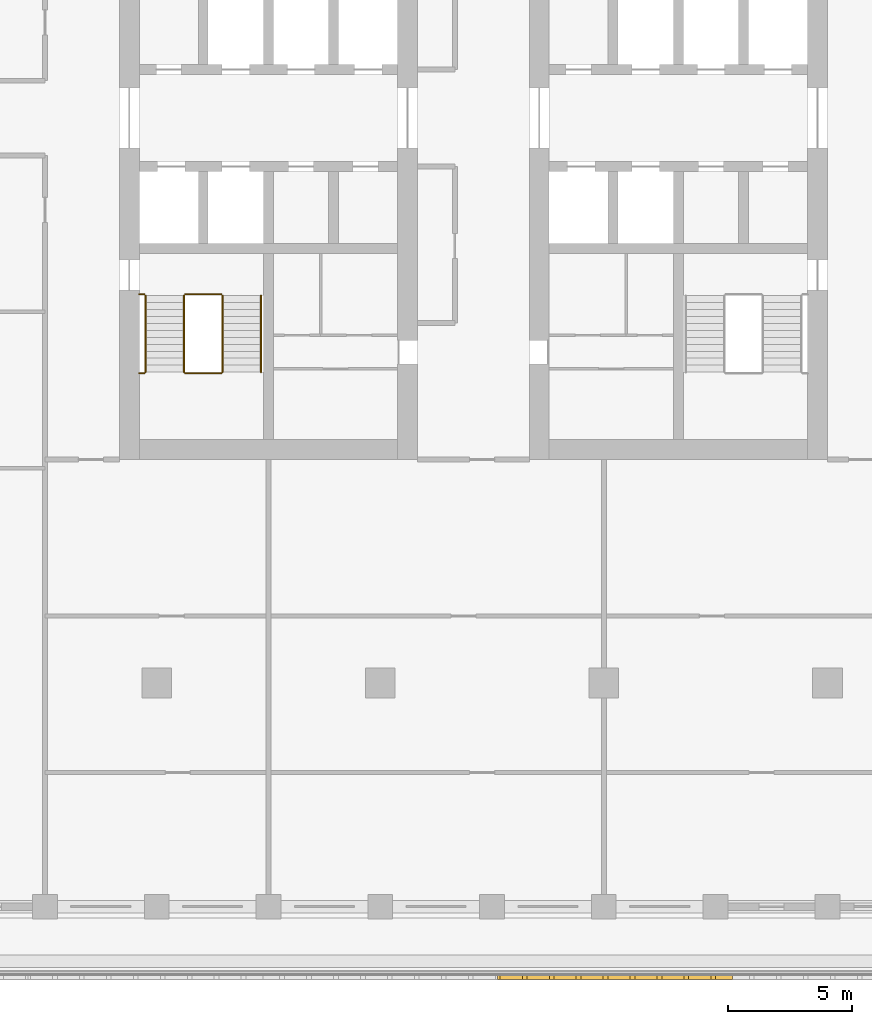
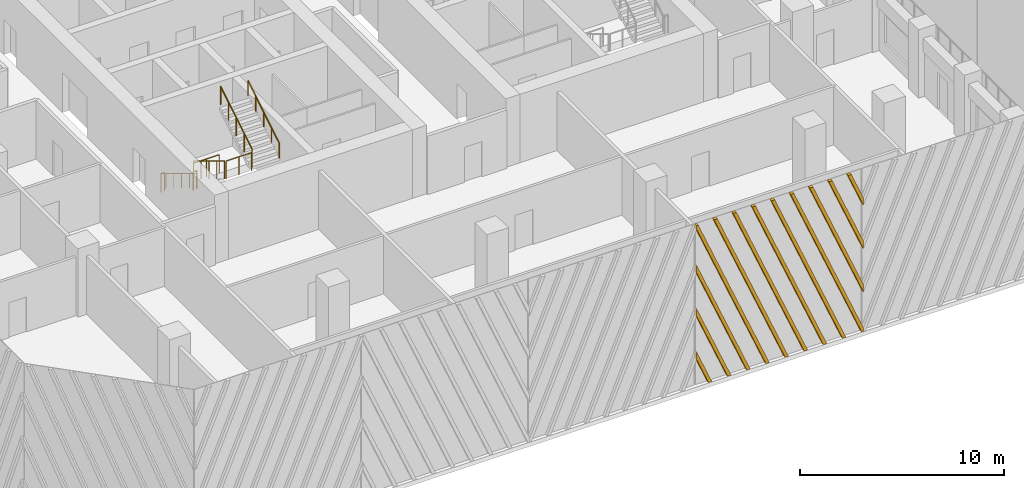
# One storey, part 12 of 18: 8 railings, 1 shading device.
"""IFC4 building model written with IfcOpenShell, lengths in metres."""

import ifcopenshell
import ifcopenshell.guid

model = None  # the IFC model being written
_history = None  # IfcOwnerHistory: only IFC2X3 demands one
_inside = {}  # id of a spatial element -> (the spatial element, [elements in it])
_under = {}  # id of a project, library or spatial element -> (it, [spatial elements below it])
_declared = {}  # id of a project -> (the project, [libraries it declares])
_typed = {}  # id of a type object -> (the type object, [elements of that type])
_made_of = {}  # id of a material, layer set ... -> (it, [elements and type objects made of it])


def new_model(schema):
    """Start an empty IFC model of exactly this schema.

    Asked for "IFC4X3", IfcOpenShell would pick the latest addendum, in which some entities
    have other attributes; the version numbers below select the first issue.
    IFC2X3 requires an IfcOwnerHistory on every rooted entity: one is made here for all.
    """
    global model, _history
    if schema == "IFC4X3":
        model = ifcopenshell.file(schema_version=(4, 3, 0, 0))
    else:
        model = ifcopenshell.file(schema=schema)
    _inside.clear()
    _under.clear()
    _declared.clear()
    _typed.clear()
    _made_of.clear()
    _history = None
    if model.schema == "IFC2X3":
        org = make("IfcOrganization", Name="unknown")
        user = make(
            "IfcPersonAndOrganization",
            ThePerson=make("IfcPerson", FamilyName="unknown"),
            TheOrganization=org,
        )
        app = make(
            "IfcApplication",
            ApplicationDeveloper=org,
            Version="unknown",
            ApplicationFullName="unknown",
            ApplicationIdentifier="unknown",
        )
        _history = make(
            "IfcOwnerHistory",
            OwningUser=user,
            OwningApplication=app,
            ChangeAction="ADDED",
            CreationDate=0,
        )
    return model


def make(cls, **values):
    """One entity of the class cls with the attributes given. An attribute that is None is left unset."""
    return model.create_entity(
        cls, **{name: value for name, value in values.items() if value is not None}
    )


def rooted(cls, **values):
    """An entity with a GlobalId (a new one), such as an element, a storey or a relation."""
    return make(cls, GlobalId=ifcopenshell.guid.new(), OwnerHistory=_history, **values)


def si_unit(unit_type, name, prefix=None):
    """IfcSIUnit, for example si_unit("LENGTHUNIT", "METRE", prefix="MILLI")."""
    return make("IfcSIUnit", UnitType=unit_type, Prefix=prefix, Name=name)


def assignment(units):
    """IfcUnitAssignment: the units of a project."""
    return None if units is None else make("IfcUnitAssignment", Units=units)


def point(xyz):
    """IfcCartesianPoint."""
    return None if xyz is None else make("IfcCartesianPoint", Coordinates=xyz)


def direction(xyz):
    """IfcDirection."""
    return None if xyz is None else make("IfcDirection", DirectionRatios=xyz)


def frame(location, z_axis=None, x_axis=None):
    """IfcAxis2Placement3D, a coordinate frame: its origin and axes. An axis left out is left unset."""
    return make(
        "IfcAxis2Placement3D",
        Location=point(location),
        Axis=direction(z_axis),
        RefDirection=direction(x_axis),
    )


def frame_2d(location, x_axis=None):
    """IfcAxis2Placement2D, a coordinate frame in the plane: its origin and x axis."""
    return make(
        "IfcAxis2Placement2D", Location=point(location), RefDirection=direction(x_axis)
    )


def origin():
    """The frame at (0, 0, 0) with its axes left unset."""
    return frame((0.0, 0.0, 0.0))


def origin_2d():
    """The frame at (0, 0) in the plane with its x axis left unset."""
    return frame_2d((0.0, 0.0))


def place(relative_to, where):
    """IfcLocalPlacement: puts the frame where relative to a parent placement (None: the world)."""
    return make(
        "IfcLocalPlacement", PlacementRelTo=relative_to, RelativePlacement=where
    )


def context(
    kind, dimensions, precision=None, world=None, true_north=None, identifier=None
):
    """IfcGeometricRepresentationContext, for example the 3D "Model" context."""
    return make(
        "IfcGeometricRepresentationContext",
        ContextIdentifier=identifier,
        ContextType=kind,
        CoordinateSpaceDimension=dimensions,
        Precision=precision,
        WorldCoordinateSystem=world,
        TrueNorth=true_north,
    )


def subcontext(parent, identifier, kind, view, scale=None):
    """IfcGeometricRepresentationSubContext, for example "Body" below "Model"."""
    return make(
        "IfcGeometricRepresentationSubContext",
        ContextIdentifier=identifier,
        ContextType=kind,
        ParentContext=parent,
        TargetScale=scale,
        TargetView=view,
    )


def project(units=None, contexts=None):
    """IfcProject with its units and contexts."""
    return rooted(
        "IfcProject",
        Name="project",
        RepresentationContexts=contexts,
        UnitsInContext=assignment(units),
    )


def spatial(cls, under=None, at=None, **own):
    """A site, building, storey or space (cls), placed at a placement, below another one or the project."""
    s = rooted(cls, ObjectPlacement=at, **own)
    if under is not None:
        _under.setdefault(under.id(), (under, []))[1].append(s)
    return s


def polyline(points):
    """IfcPolyline through the points."""
    return make("IfcPolyline", Points=[point(p) for p in points])


def profile(cls, at=None, kind="AREA", **sizes):
    """A parametric profile (cls). Its sizes go by their IFC names, for example OverallWidth=200.0."""
    return make(cls, ProfileType=kind, Position=at, **sizes)


def circle(**sizes):
    """IfcCircleProfileDef."""
    return profile("IfcCircleProfileDef", **sizes)


def outline(outer, holes=None, kind="AREA"):
    """IfcArbitraryClosedProfileDef: a profile drawn as a closed curve; with holes, ...WithVoids."""
    if holes is None:
        return make("IfcArbitraryClosedProfileDef", ProfileType=kind, OuterCurve=outer)
    return make(
        "IfcArbitraryProfileDefWithVoids",
        ProfileType=kind,
        OuterCurve=outer,
        InnerCurves=holes,
    )


def extrude(swept, where, along, depth):
    """IfcExtrudedAreaSolid: the profile swept, set in the frame where, extruded along a direction by depth."""
    return make(
        "IfcExtrudedAreaSolid",
        SweptArea=swept,
        Position=where,
        ExtrudedDirection=direction(along),
        Depth=depth,
    )


def shape(context_of_items, identifier, shape_type, items):
    """IfcShapeRepresentation: the items that make up one representation, for example the "Body"."""
    return make(
        "IfcShapeRepresentation",
        ContextOfItems=context_of_items,
        RepresentationIdentifier=identifier,
        RepresentationType=shape_type,
        Items=items,
    )


def source(mapping_origin, context_of_items, identifier, shape_type, items):
    """IfcRepresentationMap: a shape defined once, which mapped items show again and again."""
    return make(
        "IfcRepresentationMap",
        MappingOrigin=mapping_origin,
        MappedRepresentation=shape(context_of_items, identifier, shape_type, items),
    )


def transform(
    local_origin,
    x_axis=None,
    y_axis=None,
    z_axis=None,
    scale=None,
    scale2=None,
    scale3=None,
    uniform=True,
):
    """IfcCartesianTransformationOperator3D, or its non-uniform kind. x_axis, y_axis, z_axis: its Axis1, 2, 3."""
    if uniform:
        return make(
            "IfcCartesianTransformationOperator3D",
            Axis1=direction(x_axis),
            Axis2=direction(y_axis),
            LocalOrigin=point(local_origin),
            Scale=scale,
            Axis3=direction(z_axis),
        )
    return make(
        "IfcCartesianTransformationOperator3DnonUniform",
        Axis1=direction(x_axis),
        Axis2=direction(y_axis),
        LocalOrigin=point(local_origin),
        Scale=scale,
        Axis3=direction(z_axis),
        Scale2=scale2,
        Scale3=scale3,
    )


def mapped(mapping_source, mapping_target):
    """IfcMappedItem: shows the shape of a source again, moved by a transform."""
    return make(
        "IfcMappedItem", MappingSource=mapping_source, MappingTarget=mapping_target
    )


def material(Name=None, Category=None):
    """IfcMaterial."""
    return make("IfcMaterial", Name=Name, Category=Category)


def made_of(thing, what):
    """Note that an element or type object is made of a material, layer set ...; save() writes the relation."""
    if what is not None:
        _made_of.setdefault(what.id(), (what, []))[1].append(thing)
    return thing


def type_object(cls, material=None, **own):
    """A type object (cls), such as IfcWallType, which elements share."""
    return made_of(rooted(cls, **own), material)


def element(
    cls,
    number,
    at=None,
    inside=None,
    cuts=None,
    type_object=None,
    material=None,
    context=None,
    identifier="Body",
    shape_type=None,
    held_by="IfcProductDefinitionShape",
    body=None,
    shapes=None,
    **own,
):
    """One element of the class cls, such as IfcWall. Its Tag is "e" and its number.

    at: its placement. inside: the storey or other place that contains it. cuts: it is an
    opening in that element (IfcRelVoidsElement). A single representation is given by context,
    identifier, shape_type and body (its items); several are given by shapes. held_by: the class
    of the entity that holds the representations. save() writes the other relations.
    """
    e = rooted(cls, Tag="e%d" % number, ObjectPlacement=at, **own)
    if body is not None:
        shapes = [shape(context, identifier, shape_type, body)]
    if shapes is not None:
        e.Representation = make(held_by, Representations=shapes)
    if inside is not None:
        _inside.setdefault(inside.id(), (inside, []))[1].append(e)
    if cuts is not None:
        rooted(
            "IfcRelVoidsElement", RelatingBuildingElement=cuts, RelatedOpeningElement=e
        )
    if type_object is not None:
        _typed.setdefault(type_object.id(), (type_object, []))[1].append(e)
    return made_of(e, material)


def aggregate(whole, parts):
    """IfcRelAggregates: a whole, such as a stair, and the parts it consists of."""
    return rooted("IfcRelAggregates", RelatingObject=whole, RelatedObjects=parts)


def save(model, path):
    """Write the relations noted so far, then the file.

    IfcRelAggregates (storeys below a building ...), IfcRelContainedInSpatialStructure (elements
    in a storey), IfcRelDefinesByType, IfcRelAssociatesMaterial and IfcRelDeclares: one each for
    every whole, place, type object, material and project.
    """
    for whole, parts in _under.values():
        aggregate(whole, parts)
    for where, things in _inside.values():
        rooted(
            "IfcRelContainedInSpatialStructure",
            RelatedElements=things,
            RelatingStructure=where,
        )
    for kind, things in _typed.values():
        rooted("IfcRelDefinesByType", RelatedObjects=things, RelatingType=kind)
    for what, things in _made_of.values():
        rooted("IfcRelAssociatesMaterial", RelatedObjects=things, RelatingMaterial=what)
    for by, libraries in _declared.values():
        rooted("IfcRelDeclares", RelatingContext=by, RelatedDefinitions=libraries)
    model.write(path)


model = new_model("IFC4")

# Units and contexts
model_context = context("Model", 3, precision=1e-05, world=origin(), true_north=direction((0.0, 1.0)))
body_context = subcontext(model_context, "Body", "Model", "MODEL_VIEW")
ifc_project = project(units=[si_unit("LENGTHUNIT", "METRE"), si_unit("AREAUNIT", "SQUARE_METRE"), si_unit("VOLUMEUNIT", "CUBIC_METRE"), si_unit("PLANEANGLEUNIT", "RADIAN"), si_unit("MASSUNIT", "GRAM", prefix="KILO")], contexts=[model_context])

# Site, building, storey
site_placement = place(None, origin())
site = spatial("IfcSite", under=ifc_project, at=site_placement, CompositionType="ELEMENT")
building_placement = place(site_placement, origin())
building = spatial("IfcBuilding", under=site, at=building_placement, Name="Corbel Stack Research Tower", CompositionType="ELEMENT")
storey_placement = place(building_placement, frame((0.0, 0.0, 181.39990234375)))
storey = spatial("IfcBuildingStorey", under=building, at=storey_placement, Name="L41", CompositionType="ELEMENT", Elevation=181.39990234375)

# Railings
ifc_material_1 = material(Name="Steel S355", Category="steel")
railing_type_1 = type_object("IfcRailingType", Name="Stair guard 1100", PredefinedType="GUARDRAIL", material=ifc_material_1)
railing_1_placement = place(storey_placement, frame((-7.89990234375, -2.39990234375, 0.1708984375)))
element("IfcRailing", 1, at=railing_1_placement, inside=storey, type_object=railing_type_1, Name="L41 ST-W1 stair guard 1", PredefinedType="GUARDRAIL", context=body_context, shape_type="SweptSolid", body=[
    extrude(circle(Radius=0.02392578125, at=origin_2d()), frame((0.0, 0.0, 1.076171875), z_axis=(0.0, -0.853666305674, 0.52082035152), x_axis=(1.0, 0.0, 0.0)), (0.0, 0.0, 1.0), 3.608154296875),
    extrude(circle(Radius=0.02099609375, at=origin_2d()), origin(), (0.0, 0.0, 1.0), 1.052001953125),
    extrude(circle(Radius=0.02099609375, at=origin_2d()), frame((0.0, -0.77001953125, 0.4697265625)), (0.0, 0.0, 1.0), 1.052001953125),
    extrude(circle(Radius=0.02099609375, at=origin_2d()), frame((0.0, -1.5400390625, 0.939453125)), (0.0, 0.0, 1.0), 1.052001953125),
    extrude(circle(Radius=0.02099609375, at=origin_2d()), frame((0.0, -2.31005859375, 1.409423828125)), (0.0, 0.0, 1.0), 1.052001953125),
    extrude(circle(Radius=0.02099609375, at=origin_2d()), frame((0.0, -3.080078125, 1.879150390625)), (0.0, 0.0, 1.0), 1.052001953125),
])
railing_2_placement = place(storey_placement, frame((-7.85009765625, -5.530029296875, 2.050048828125)))
element("IfcRailing", 2, at=railing_2_placement, inside=storey, type_object=railing_type_1, Name="L41 ST-W1 stair guard 2", PredefinedType="GUARDRAIL", context=body_context, shape_type="SweptSolid", body=[
    extrude(circle(Radius=0.02392578125, at=origin_2d()), frame((0.0, 0.0, 1.076171875), z_axis=(1.0, 0.0, 0.0), x_axis=(0.0, 1.0, 0.0)), (0.0, 0.0, 1.0), 1.4501953125),
    extrude(circle(Radius=0.02099609375, at=origin_2d()), origin(), (0.0, 0.0, 1.0), 1.052001953125),
    extrude(circle(Radius=0.02099609375, at=origin_2d()), frame((0.72509765625, 0.0, 0.0)), (0.0, 0.0, 1.0), 1.052001953125),
    extrude(circle(Radius=0.02099609375, at=origin_2d()), frame((1.4501953125, 0.0, 0.0)), (0.0, 0.0, 1.0), 1.052001953125),
])
railing_3_placement = place(storey_placement, frame((-9.699951171875, -5.530029296875, 2.050048828125)))
element("IfcRailing", 3, at=railing_3_placement, inside=storey, type_object=railing_type_1, Name="L41 ST-W1 stair guard 3", PredefinedType="GUARDRAIL", context=body_context, shape_type="SweptSolid", body=[
    extrude(circle(Radius=0.02392578125, at=origin_2d()), frame((0.0, 0.0, 1.076171875), z_axis=(1.0, 0.0, 0.0), x_axis=(0.0, 1.0, 0.0)), (0.0, 0.0, 1.0), 0.199951171875),
    extrude(circle(Radius=0.02099609375, at=origin_2d()), origin(), (0.0, 0.0, 1.0), 1.052001953125),
    extrude(circle(Radius=0.02099609375, at=origin_2d()), frame((0.199951171875, 0.0, 0.0)), (0.0, 0.0, 1.0), 1.052001953125),
])
railing_4_placement = place(storey_placement, frame((-6.35009765625, -5.47998046875, 2.220947265625)))
element("IfcRailing", 4, at=railing_4_placement, inside=storey, type_object=railing_type_1, Name="L41 ST-W1 stair guard 4", PredefinedType="GUARDRAIL", context=body_context, shape_type="SweptSolid", body=[
    extrude(circle(Radius=0.02392578125, at=origin_2d()), frame((0.0, 0.0, 1.076171875), z_axis=(0.0, 0.853666305674, 0.52082035152), x_axis=(-1.0, 0.0, 0.0)), (0.0, 0.0, 1.0), 3.608154296875),
    extrude(circle(Radius=0.02099609375, at=origin_2d()), origin(), (0.0, 0.0, 1.0), 1.052001953125),
    extrude(circle(Radius=0.02099609375, at=origin_2d()), frame((0.0, 0.77001953125, 0.4697265625)), (0.0, 0.0, 1.0), 1.052001953125),
    extrude(circle(Radius=0.02099609375, at=origin_2d()), frame((0.0, 1.5400390625, 0.939453125)), (0.0, 0.0, 1.0), 1.052001953125),
    extrude(circle(Radius=0.02099609375, at=origin_2d()), frame((0.0, 2.31005859375, 1.409423828125)), (0.0, 0.0, 1.0), 1.052001953125),
    extrude(circle(Radius=0.02099609375, at=origin_2d()), frame((0.0, 3.080078125, 1.879150390625)), (0.0, 0.0, 1.0), 1.052001953125),
])
railing_5_placement = place(storey_placement, frame((-7.85009765625, -2.35009765625, 0.0)))
element("IfcRailing", 5, at=railing_5_placement, inside=storey, type_object=railing_type_1, Name="L41 ST-W1 stair guard 5", PredefinedType="GUARDRAIL", context=body_context, shape_type="SweptSolid", body=[
    extrude(circle(Radius=0.02392578125, at=origin_2d()), frame((0.0, 0.0, 1.076171875), z_axis=(1.0, 0.0, 0.0), x_axis=(0.0, 1.0, 0.0)), (0.0, 0.0, 1.0), 1.4501953125),
    extrude(circle(Radius=0.02099609375, at=origin_2d()), origin(), (0.0, 0.0, 1.0), 1.052001953125),
    extrude(circle(Radius=0.02099609375, at=origin_2d()), frame((0.72509765625, 0.0, 0.0)), (0.0, 0.0, 1.0), 1.052001953125),
    extrude(circle(Radius=0.02099609375, at=origin_2d()), frame((1.4501953125, 0.0, 0.0)), (0.0, 0.0, 1.0), 1.052001953125),
])
railing_6_placement = place(storey_placement, frame((-9.699951171875, -2.35009765625, 0.0)))
element("IfcRailing", 6, at=railing_6_placement, inside=storey, type_object=railing_type_1, Name="L41 ST-W1 stair guard 6", PredefinedType="GUARDRAIL", context=body_context, shape_type="SweptSolid", body=[
    extrude(circle(Radius=0.02392578125, at=origin_2d()), frame((0.0, 0.0, 1.076171875), z_axis=(1.0, 0.0, 0.0), x_axis=(0.0, 1.0, 0.0)), (0.0, 0.0, 1.0), 0.199951171875),
    extrude(circle(Radius=0.02099609375, at=origin_2d()), origin(), (0.0, 0.0, 1.0), 1.052001953125),
    extrude(circle(Radius=0.02099609375, at=origin_2d()), frame((0.199951171875, 0.0, 0.0)), (0.0, 0.0, 1.0), 1.052001953125),
])
ifc_material_2 = material(Name="Steel S355", Category="steel")
railing_type_2 = type_object("IfcRailingType", Name="Stair handrail 900", PredefinedType="HANDRAIL", material=ifc_material_2)
railing_7_placement = place(storey_placement, frame((-9.449951171875, -2.39990234375, 0.1708984375)))
element("IfcRailing", 7, at=railing_7_placement, inside=storey, type_object=railing_type_2, Name="L41 ST-W1 stair handrail 1", PredefinedType="HANDRAIL", context=body_context, shape_type="SweptSolid", body=[
    extrude(circle(Radius=0.02392578125, at=origin_2d()), frame((0.0, 0.0, 0.8759765625), z_axis=(0.0, -0.853666305674, 0.52082035152), x_axis=(1.0, 0.0, 0.0)), (0.0, 0.0, 1.0), 3.608154296875),
    extrude(circle(Radius=0.02099609375, at=origin_2d()), origin(), (0.0, 0.0, 1.0), 0.851806640625),
    extrude(circle(Radius=0.02099609375, at=origin_2d()), frame((0.0, -0.77001953125, 0.4697265625)), (0.0, 0.0, 1.0), 0.851806640625),
    extrude(circle(Radius=0.02099609375, at=origin_2d()), frame((0.0, -1.5400390625, 0.939453125)), (0.0, 0.0, 1.0), 0.851806640625),
    extrude(circle(Radius=0.02099609375, at=origin_2d()), frame((0.0, -2.31005859375, 1.409423828125)), (0.0, 0.0, 1.0), 0.851806640625),
    extrude(circle(Radius=0.02099609375, at=origin_2d()), frame((0.0, -3.080078125, 1.879150390625)), (0.0, 0.0, 1.0), 0.851806640625),
])
railing_8_placement = place(storey_placement, frame((-4.800048828125, -5.47998046875, 2.220947265625)))
element("IfcRailing", 8, at=railing_8_placement, inside=storey, type_object=railing_type_2, Name="L41 ST-W1 stair handrail 2", PredefinedType="HANDRAIL", context=body_context, shape_type="SweptSolid", body=[
    extrude(circle(Radius=0.02392578125, at=origin_2d()), frame((0.0, 0.0, 0.8759765625), z_axis=(0.0, 0.853666305674, 0.52082035152), x_axis=(-1.0, 0.0, 0.0)), (0.0, 0.0, 1.0), 3.608154296875),
    extrude(circle(Radius=0.02099609375, at=origin_2d()), origin(), (0.0, 0.0, 1.0), 0.851806640625),
    extrude(circle(Radius=0.02099609375, at=origin_2d()), frame((0.0, 0.77001953125, 0.4697265625)), (0.0, 0.0, 1.0), 0.851806640625),
    extrude(circle(Radius=0.02099609375, at=origin_2d()), frame((0.0, 1.5400390625, 0.939453125)), (0.0, 0.0, 1.0), 0.851806640625),
    extrude(circle(Radius=0.02099609375, at=origin_2d()), frame((0.0, 2.31005859375, 1.409423828125)), (0.0, 0.0, 1.0), 0.851806640625),
    extrude(circle(Radius=0.02099609375, at=origin_2d()), frame((0.0, 3.080078125, 1.879150390625)), (0.0, 0.0, 1.0), 0.851806640625),
])

# Shading device
ifc_material_3 = material(Name="Precast terracotta", Category="masonry")
shading_device_type = type_object("IfcShadingDeviceType", Name="Terracotta screen panel", PredefinedType="USERDEFINED", material=ifc_material_3)
shared_shape = source(origin(), body_context, "Body", "SweptSolid", [
    extrude(outline(polyline([(0.873291015625, 0.0), (0.0, 2.091064453125), (0.0, 1.635986328125), (0.683349609375, 0.0), (0.873291015625, 0.0)])), frame((0.0, 0.0, 0.0), z_axis=(0.0, -1.0, 0.0), x_axis=(1.0, 0.0, 0.0)), (0.0, 0.0, 1.0), 0.179931640625),
    extrude(outline(polyline([(1.9580078125, 0.0), (0.0, 4.688232421875), (0.0, 4.2333984375), (1.76806640625, 0.0), (1.9580078125, 0.0)])), frame((0.0, 0.0, 0.0), z_axis=(0.0, -1.0, 0.0), x_axis=(1.0, 0.0, 0.0)), (0.0, 0.0, 1.0), 0.179931640625),
    extrude(outline(polyline([(3.04248046875, 0.0), (0.0, 7.285400390625), (0.0, 6.83056640625), (2.8525390625, 0.0), (3.04248046875, 0.0)])), frame((0.0, 0.0, 0.0), z_axis=(0.0, -1.0, 0.0), x_axis=(1.0, 0.0, 0.0)), (0.0, 0.0, 1.0), 0.179931640625),
    extrude(outline(polyline([(4.127197265625, 0.0), (0.09716796875, 9.64990234375), (0.0, 9.64990234375), (0.0, 9.427734375), (3.937255859375, 0.0), (4.127197265625, 0.0)])), frame((0.0, 0.0, 0.0), z_axis=(0.0, -1.0, 0.0), x_axis=(1.0, 0.0, 0.0)), (0.0, 0.0, 1.0), 0.179931640625),
    extrude(outline(polyline([(5.2119140625, 0.0), (1.181884765625, 9.64990234375), (0.99169921875, 9.64990234375), (5.02197265625, 0.0), (5.2119140625, 0.0)])), frame((0.0, 0.0, 0.0), z_axis=(0.0, -1.0, 0.0), x_axis=(1.0, 0.0, 0.0)), (0.0, 0.0, 1.0), 0.179931640625),
    extrude(outline(polyline([(6.296630859375, 0.0), (2.2666015625, 9.64990234375), (2.076416015625, 9.64990234375), (6.106689453125, 0.0), (6.296630859375, 0.0)])), frame((0.0, 0.0, 0.0), z_axis=(0.0, -1.0, 0.0), x_axis=(1.0, 0.0, 0.0)), (0.0, 0.0, 1.0), 0.179931640625),
    extrude(outline(polyline([(7.38134765625, 0.0), (3.351318359375, 9.64990234375), (3.1611328125, 9.64990234375), (7.19140625, 0.0), (7.38134765625, 0.0)])), frame((0.0, 0.0, 0.0), z_axis=(0.0, -1.0, 0.0), x_axis=(1.0, 0.0, 0.0)), (0.0, 0.0, 1.0), 0.179931640625),
    extrude(outline(polyline([(8.466064453125, 0.0), (4.435791015625, 9.64990234375), (4.245849609375, 9.64990234375), (8.27587890625, 0.0), (8.466064453125, 0.0)])), frame((0.0, 0.0, 0.0), z_axis=(0.0, -1.0, 0.0), x_axis=(1.0, 0.0, 0.0)), (0.0, 0.0, 1.0), 0.179931640625),
    extrude(outline(polyline([(9.45556640625, 0.0), (9.45556640625, 0.2275390625), (5.5205078125, 9.64990234375), (5.33056640625, 9.64990234375), (9.360595703125, 0.0), (9.45556640625, 0.0)])), frame((0.0, 0.0, 0.0), z_axis=(0.0, -1.0, 0.0), x_axis=(1.0, 0.0, 0.0)), (0.0, 0.0, 1.0), 0.179931640625),
    extrude(outline(polyline([(6.60498046875, 9.64990234375), (6.4150390625, 9.64990234375), (9.45556640625, 2.36962890625), (9.45556640625, 2.82470703125), (6.60498046875, 9.64990234375)])), frame((0.0, 0.0, 0.0), z_axis=(0.0, -1.0, 0.0), x_axis=(1.0, 0.0, 0.0)), (0.0, 0.0, 1.0), 0.179931640625),
    extrude(outline(polyline([(7.689697265625, 9.64990234375), (7.499755859375, 9.64990234375), (9.45556640625, 4.966796875), (9.45556640625, 5.421875), (7.689697265625, 9.64990234375)])), frame((0.0, 0.0, 0.0), z_axis=(0.0, -1.0, 0.0), x_axis=(1.0, 0.0, 0.0)), (0.0, 0.0, 1.0), 0.179931640625),
    extrude(outline(polyline([(8.7744140625, 9.64990234375), (8.58447265625, 9.64990234375), (9.45556640625, 7.564208984375), (9.45556640625, 8.01904296875), (8.7744140625, 9.64990234375)])), frame((0.0, 0.0, 0.0), z_axis=(0.0, -1.0, 0.0), x_axis=(1.0, 0.0, 0.0)), (0.0, 0.0, 1.0), 0.179931640625),
])
shading_device_placement = place(storey_placement, frame((4.727783203125, -29.75, 0.0), z_axis=(0.0, 0.0, 1.0), x_axis=(1.0, 0.0, 0.0)))
element("IfcShadingDevice", 9, at=shading_device_placement, inside=storey, type_object=shading_device_type, Name="Terracotta screen L41 S4", ObjectType="SCREEN", PredefinedType="USERDEFINED", context=body_context, shape_type="MappedRepresentation", body=[
    mapped(shared_shape, transform((0.0, 0.0, 0.0))),
])

save(model, "model.ifc")
